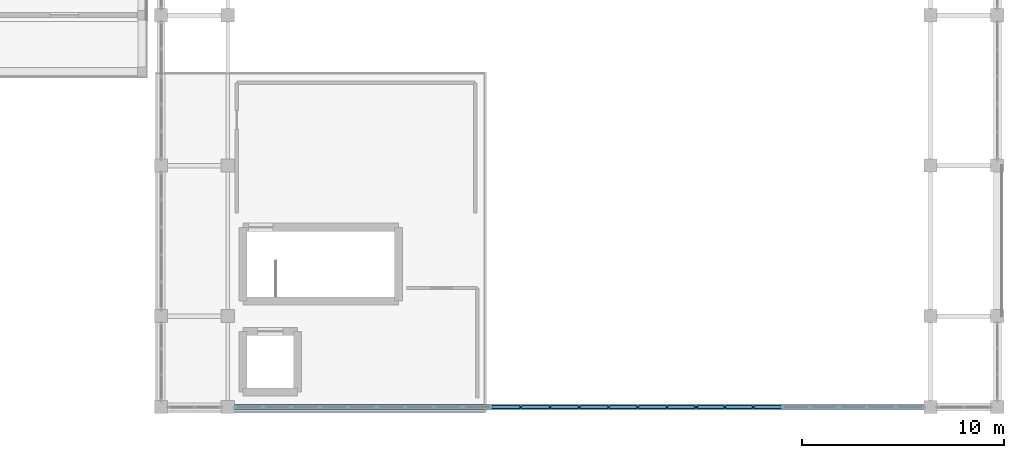
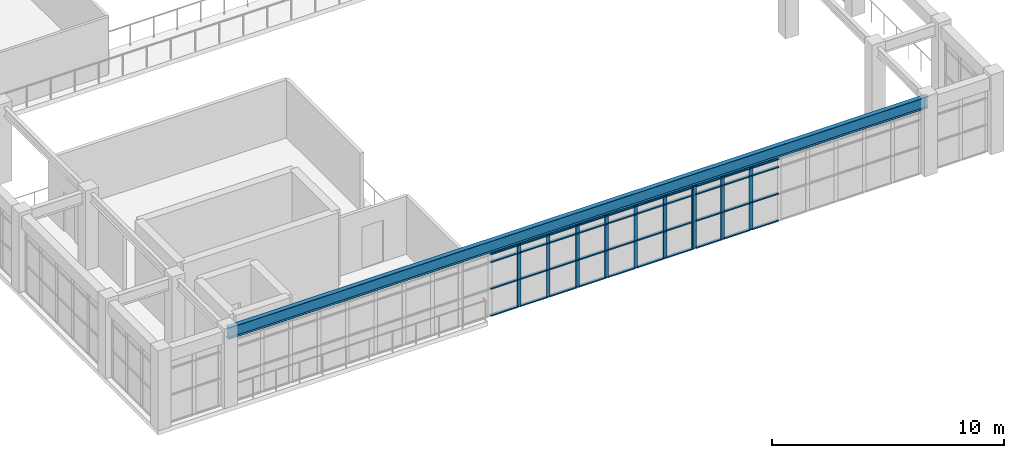
# One storey, part 19 of 66: 50 members, 1 beam, 2 elements without a shape of their own.
"""IFC4 building model written with IfcOpenShell, lengths in metres."""

from ifc_helpers import new_model, si_unit, direction, frame, origin, origin_2d, place, context, subcontext, project, spatial, rectangle, i_section, extrude, material, layer, layer_set, material_profile, profile_set, type_object, element, aggregate, save


model = new_model("IFC4")

# Units and contexts
model_context = context("Model", 3, precision=1e-05, world=origin(), true_north=direction((0.0, 1.0)))
body_context = subcontext(model_context, "Body", "Model", "MODEL_VIEW")
ifc_project = project(units=[si_unit("LENGTHUNIT", "METRE"), si_unit("AREAUNIT", "SQUARE_METRE"), si_unit("VOLUMEUNIT", "CUBIC_METRE"), si_unit("PLANEANGLEUNIT", "RADIAN"), si_unit("MASSUNIT", "GRAM", prefix="KILO")], contexts=[model_context])

# Site, building, storey
site_placement = place(None, origin())
site = spatial("IfcSite", under=ifc_project, at=site_placement, CompositionType="ELEMENT")
building_placement = place(site_placement, origin())
building = spatial("IfcBuilding", under=site, at=building_placement, Name="Candilejo Ridge Gondola Terminal", CompositionType="ELEMENT")
storey_placement = place(building_placement, frame((0.0, 0.0, 14.39990234375)))
storey = spatial("IfcBuildingStorey", under=building, at=storey_placement, Name="L03", CompositionType="ELEMENT", Elevation=14.39990234375)

# Curtain wall, members
ifc_material_1 = material(Name="Anodised aluminium AA 6063-T6", Category="aluminium")
ifc_layer_1 = layer(ifc_material_1, 0.169921875)
ifc_layer_set_1 = layer_set([ifc_layer_1], Name="ARC-CW-HALL-3800-1160X329")
curtain_wall_type_1 = type_object("IfcCurtainWallType", Name="ARC-CW-HALL-3800-1160X329", PredefinedType="NOTDEFINED", material=ifc_layer_set_1)
curtain_wall_1_placement = place(storey_placement, origin())
curtain_wall_1 = element("IfcCurtainWall", 1, at=curtain_wall_1_placement, inside=storey, type_object=curtain_wall_type_1, Name="Curtain wall V4 L03-167", PredefinedType="NOTDEFINED")
ifc_material_2 = material(Name="Anodised aluminium AA 6063-T6", Category="aluminium")
ifc_material_profile_1 = material_profile(ifc_material_2, rectangle(XDim=0.06494140625, YDim=0.179931640625, at=origin_2d()))
ifc_profile_set_1 = profile_set([ifc_material_profile_1], Name="Anodised aluminium AA 6063-T6")
member_type_1 = type_object("IfcMemberType", Name="ARC-CW-MULLION-180", PredefinedType="MULLION", material=ifc_profile_set_1)
member_1_placement = place(storey_placement, frame((151.699951171875, 6.300048828125, 0.0), z_axis=(0.0, 0.0, 1.0), x_axis=(0.0, 1.0, 0.0)))
member_1 = element("IfcMember", 2, at=member_1_placement, type_object=member_type_1, Name="CW-116X32 mullion 3", PredefinedType="MULLION", context=body_context, shape_type="SweptSolid", body=[
    extrude(rectangle(XDim=0.06494140625, YDim=0.179931640625, at=origin_2d()), origin(), (0.0, 0.0, 1.0), 3.2900390625),
])
member_2_placement = place(storey_placement, frame((153.14990234375, 6.300048828125, 0.0), z_axis=(0.0, 0.0, 1.0), x_axis=(0.0, 1.0, 0.0)))
member_2 = element("IfcMember", 3, at=member_2_placement, type_object=member_type_1, Name="CW-116X32 mullion 4", PredefinedType="MULLION", context=body_context, shape_type="SweptSolid", body=[
    extrude(rectangle(XDim=0.06494140625, YDim=0.179931640625, at=origin_2d()), origin(), (0.0, 0.0, 1.0), 3.2900390625),
])
member_3_placement = place(storey_placement, frame((154.60009765625, 6.300048828125, 0.0), z_axis=(0.0, 0.0, 1.0), x_axis=(0.0, 1.0, 0.0)))
member_3 = element("IfcMember", 4, at=member_3_placement, type_object=member_type_1, Name="CW-116X32 mullion 5", PredefinedType="MULLION", context=body_context, shape_type="SweptSolid", body=[
    extrude(rectangle(XDim=0.06494140625, YDim=0.179931640625, at=origin_2d()), origin(), (0.0, 0.0, 1.0), 3.2900390625),
])
member_4_placement = place(storey_placement, frame((156.050048828125, 6.300048828125, 0.0), z_axis=(0.0, 0.0, 1.0), x_axis=(0.0, 1.0, 0.0)))
member_4 = element("IfcMember", 5, at=member_4_placement, type_object=member_type_1, Name="CW-116X32 mullion 6", PredefinedType="MULLION", context=body_context, shape_type="SweptSolid", body=[
    extrude(rectangle(XDim=0.06494140625, YDim=0.179931640625, at=origin_2d()), origin(), (0.0, 0.0, 1.0), 3.2900390625),
])
member_5_placement = place(storey_placement, frame((157.5, 6.300048828125, 0.0), z_axis=(0.0, 0.0, 1.0), x_axis=(0.0, 1.0, 0.0)))
member_5 = element("IfcMember", 6, at=member_5_placement, type_object=member_type_1, Name="CW-116X32 mullion 7", PredefinedType="MULLION", context=body_context, shape_type="SweptSolid", body=[
    extrude(rectangle(XDim=0.06494140625, YDim=0.179931640625, at=origin_2d()), origin(), (0.0, 0.0, 1.0), 3.2900390625),
])
member_6_placement = place(storey_placement, frame((158.949951171875, 6.300048828125, 0.0), z_axis=(0.0, 0.0, 1.0), x_axis=(0.0, 1.0, 0.0)))
member_6 = element("IfcMember", 7, at=member_6_placement, type_object=member_type_1, Name="CW-116X32 mullion 8", PredefinedType="MULLION", context=body_context, shape_type="SweptSolid", body=[
    extrude(rectangle(XDim=0.06494140625, YDim=0.179931640625, at=origin_2d()), origin(), (0.0, 0.0, 1.0), 3.2900390625),
])
member_7_placement = place(storey_placement, frame((160.367431640625, 6.300048828125, 0.0), z_axis=(0.0, 0.0, 1.0), x_axis=(0.0, 1.0, 0.0)))
member_7 = element("IfcMember", 8, at=member_7_placement, type_object=member_type_1, Name="CW-116X32 mullion 9", PredefinedType="MULLION", context=body_context, shape_type="SweptSolid", body=[
    extrude(rectangle(XDim=0.06494140625, YDim=0.179931640625, at=origin_2d()), origin(), (0.0, 0.0, 1.0), 3.2900390625),
])

ifc_material_3 = material(Name="Anodised aluminium AA 6063-T6", Category="aluminium")
ifc_layer_2 = layer(ifc_material_3, 0.169921875)
ifc_layer_set_2 = layer_set([ifc_layer_2], Name="ARC-CW-HALL-3800-1128X329")
curtain_wall_type_2 = type_object("IfcCurtainWallType", Name="ARC-CW-HALL-3800-1128X329", PredefinedType="NOTDEFINED", material=ifc_layer_set_2)
curtain_wall_2_placement = place(storey_placement, origin())
curtain_wall_2 = element("IfcCurtainWall", 9, at=curtain_wall_2_placement, inside=storey, type_object=curtain_wall_type_2, Name="Curtain wall V4 L03-168", PredefinedType="NOTDEFINED")
member_8_placement = place(storey_placement, frame((160.4326171875, 6.300048828125, 0.0), z_axis=(0.0, 0.0, 1.0), x_axis=(0.0, 1.0, 0.0)))
member_8 = element("IfcMember", 10, at=member_8_placement, type_object=member_type_1, Name="CW-112X32 mullion 1", PredefinedType="MULLION", context=body_context, shape_type="SweptSolid", body=[
    extrude(rectangle(XDim=0.06494140625, YDim=0.179931640625, at=origin_2d()), origin(), (0.0, 0.0, 1.0), 3.2900390625),
])
member_9_placement = place(storey_placement, frame((161.809326171875, 6.300048828125, 0.0), z_axis=(0.0, 0.0, 1.0), x_axis=(0.0, 1.0, 0.0)))
member_9 = element("IfcMember", 11, at=member_9_placement, type_object=member_type_1, Name="CW-112X32 mullion 2", PredefinedType="MULLION", context=body_context, shape_type="SweptSolid", body=[
    extrude(rectangle(XDim=0.06494140625, YDim=0.179931640625, at=origin_2d()), origin(), (0.0, 0.0, 1.0), 3.2900390625),
])
member_10_placement = place(storey_placement, frame((163.21875, 6.300048828125, 0.0), z_axis=(0.0, 0.0, 1.0), x_axis=(0.0, 1.0, 0.0)))
member_10 = element("IfcMember", 12, at=member_10_placement, type_object=member_type_1, Name="CW-112X32 mullion 3", PredefinedType="MULLION", context=body_context, shape_type="SweptSolid", body=[
    extrude(rectangle(XDim=0.06494140625, YDim=0.179931640625, at=origin_2d()), origin(), (0.0, 0.0, 1.0), 3.2900390625),
])

# Member
ifc_material_4 = material(Name="Anodised aluminium AA 6063-T6", Category="aluminium")
ifc_material_profile_2 = material_profile(ifc_material_4, rectangle(XDim=0.1298828125, YDim=0.06005859375, at=origin_2d()))
ifc_profile_set_2 = profile_set([ifc_material_profile_2], Name="Anodised aluminium AA 6063-T6")
member_type_2 = type_object("IfcMemberType", Name="ARC-CW-TRANSOM-130", PredefinedType="USERDEFINED", material=ifc_profile_set_2)
member_11_placement = place(storey_placement, frame((150.282470703125, 6.300048828125, 0.030029296875), z_axis=(1.0, 0.0, 0.0), x_axis=(0.0, 1.0, 0.0)))
member_11 = element("IfcMember", 13, at=member_11_placement, type_object=member_type_2, Name="CW-116X32 transom 2.1", ObjectType="TRANSOM", PredefinedType="USERDEFINED", context=body_context, shape_type="SweptSolid", body=[
    extrude(rectangle(XDim=0.1298828125, YDim=0.06005859375, at=origin_2d()), origin(), (0.0, 0.0, 1.0), 1.385009765625),
])

member_12_placement = place(storey_placement, frame((150.282470703125, 6.300048828125, 1.4501953125), z_axis=(1.0, 0.0, 0.0), x_axis=(0.0, 1.0, 0.0)))
member_12 = element("IfcMember", 14, at=member_12_placement, type_object=member_type_2, Name="CW-116X32 transom 2.2", ObjectType="TRANSOM", PredefinedType="USERDEFINED", context=body_context, shape_type="SweptSolid", body=[
    extrude(rectangle(XDim=0.1298828125, YDim=0.06005859375, at=origin_2d()), origin(), (0.0, 0.0, 1.0), 1.385009765625),
])

member_13_placement = place(storey_placement, frame((150.282470703125, 6.300048828125, 2.85009765625), z_axis=(1.0, 0.0, 0.0), x_axis=(0.0, 1.0, 0.0)))
member_13 = element("IfcMember", 15, at=member_13_placement, type_object=member_type_2, Name="CW-116X32 transom 2.3", ObjectType="TRANSOM", PredefinedType="USERDEFINED", context=body_context, shape_type="SweptSolid", body=[
    extrude(rectangle(XDim=0.1298828125, YDim=0.06005859375, at=origin_2d()), origin(), (0.0, 0.0, 1.0), 1.385009765625),
])

member_14_placement = place(storey_placement, frame((150.282470703125, 6.300048828125, 3.260009765625), z_axis=(1.0, 0.0, 0.0), x_axis=(0.0, 1.0, 0.0)))
member_14 = element("IfcMember", 16, at=member_14_placement, type_object=member_type_2, Name="CW-116X32 transom 2.4", ObjectType="TRANSOM", PredefinedType="USERDEFINED", context=body_context, shape_type="SweptSolid", body=[
    extrude(rectangle(XDim=0.1298828125, YDim=0.06005859375, at=origin_2d()), origin(), (0.0, 0.0, 1.0), 1.385009765625),
])

member_15_placement = place(storey_placement, frame((151.732421875, 6.300048828125, 0.030029296875), z_axis=(1.0, 0.0, 0.0), x_axis=(0.0, 1.0, 0.0)))
member_15 = element("IfcMember", 17, at=member_15_placement, type_object=member_type_2, Name="CW-116X32 transom 3.1", ObjectType="TRANSOM", PredefinedType="USERDEFINED", context=body_context, shape_type="SweptSolid", body=[
    extrude(rectangle(XDim=0.1298828125, YDim=0.06005859375, at=origin_2d()), origin(), (0.0, 0.0, 1.0), 1.385009765625),
])

member_16_placement = place(storey_placement, frame((151.732421875, 6.300048828125, 1.4501953125), z_axis=(1.0, 0.0, 0.0), x_axis=(0.0, 1.0, 0.0)))
member_16 = element("IfcMember", 18, at=member_16_placement, type_object=member_type_2, Name="CW-116X32 transom 3.2", ObjectType="TRANSOM", PredefinedType="USERDEFINED", context=body_context, shape_type="SweptSolid", body=[
    extrude(rectangle(XDim=0.1298828125, YDim=0.06005859375, at=origin_2d()), origin(), (0.0, 0.0, 1.0), 1.385009765625),
])

member_17_placement = place(storey_placement, frame((151.732421875, 6.300048828125, 2.85009765625), z_axis=(1.0, 0.0, 0.0), x_axis=(0.0, 1.0, 0.0)))
member_17 = element("IfcMember", 19, at=member_17_placement, type_object=member_type_2, Name="CW-116X32 transom 3.3", ObjectType="TRANSOM", PredefinedType="USERDEFINED", context=body_context, shape_type="SweptSolid", body=[
    extrude(rectangle(XDim=0.1298828125, YDim=0.06005859375, at=origin_2d()), origin(), (0.0, 0.0, 1.0), 1.385009765625),
])

member_18_placement = place(storey_placement, frame((151.732421875, 6.300048828125, 3.260009765625), z_axis=(1.0, 0.0, 0.0), x_axis=(0.0, 1.0, 0.0)))
member_18 = element("IfcMember", 20, at=member_18_placement, type_object=member_type_2, Name="CW-116X32 transom 3.4", ObjectType="TRANSOM", PredefinedType="USERDEFINED", context=body_context, shape_type="SweptSolid", body=[
    extrude(rectangle(XDim=0.1298828125, YDim=0.06005859375, at=origin_2d()), origin(), (0.0, 0.0, 1.0), 1.385009765625),
])

member_19_placement = place(storey_placement, frame((153.1826171875, 6.300048828125, 0.030029296875), z_axis=(1.0, 0.0, 0.0), x_axis=(0.0, 1.0, 0.0)))
member_19 = element("IfcMember", 21, at=member_19_placement, type_object=member_type_2, Name="CW-116X32 transom 4.1", ObjectType="TRANSOM", PredefinedType="USERDEFINED", context=body_context, shape_type="SweptSolid", body=[
    extrude(rectangle(XDim=0.1298828125, YDim=0.06005859375, at=origin_2d()), origin(), (0.0, 0.0, 1.0), 1.384765625),
])

member_20_placement = place(storey_placement, frame((153.1826171875, 6.300048828125, 1.4501953125), z_axis=(1.0, 0.0, 0.0), x_axis=(0.0, 1.0, 0.0)))
member_20 = element("IfcMember", 22, at=member_20_placement, type_object=member_type_2, Name="CW-116X32 transom 4.2", ObjectType="TRANSOM", PredefinedType="USERDEFINED", context=body_context, shape_type="SweptSolid", body=[
    extrude(rectangle(XDim=0.1298828125, YDim=0.06005859375, at=origin_2d()), origin(), (0.0, 0.0, 1.0), 1.384765625),
])

member_21_placement = place(storey_placement, frame((153.1826171875, 6.300048828125, 2.85009765625), z_axis=(1.0, 0.0, 0.0), x_axis=(0.0, 1.0, 0.0)))
member_21 = element("IfcMember", 23, at=member_21_placement, type_object=member_type_2, Name="CW-116X32 transom 4.3", ObjectType="TRANSOM", PredefinedType="USERDEFINED", context=body_context, shape_type="SweptSolid", body=[
    extrude(rectangle(XDim=0.1298828125, YDim=0.06005859375, at=origin_2d()), origin(), (0.0, 0.0, 1.0), 1.384765625),
])

member_22_placement = place(storey_placement, frame((153.1826171875, 6.300048828125, 3.260009765625), z_axis=(1.0, 0.0, 0.0), x_axis=(0.0, 1.0, 0.0)))
member_22 = element("IfcMember", 24, at=member_22_placement, type_object=member_type_2, Name="CW-116X32 transom 4.4", ObjectType="TRANSOM", PredefinedType="USERDEFINED", context=body_context, shape_type="SweptSolid", body=[
    extrude(rectangle(XDim=0.1298828125, YDim=0.06005859375, at=origin_2d()), origin(), (0.0, 0.0, 1.0), 1.384765625),
])

member_23_placement = place(storey_placement, frame((154.632568359375, 6.300048828125, 0.030029296875), z_axis=(1.0, 0.0, 0.0), x_axis=(0.0, 1.0, 0.0)))
member_23 = element("IfcMember", 25, at=member_23_placement, type_object=member_type_2, Name="CW-116X32 transom 5.1", ObjectType="TRANSOM", PredefinedType="USERDEFINED", context=body_context, shape_type="SweptSolid", body=[
    extrude(rectangle(XDim=0.1298828125, YDim=0.06005859375, at=origin_2d()), origin(), (0.0, 0.0, 1.0), 1.385009765625),
])

member_24_placement = place(storey_placement, frame((154.632568359375, 6.300048828125, 1.4501953125), z_axis=(1.0, 0.0, 0.0), x_axis=(0.0, 1.0, 0.0)))
member_24 = element("IfcMember", 26, at=member_24_placement, type_object=member_type_2, Name="CW-116X32 transom 5.2", ObjectType="TRANSOM", PredefinedType="USERDEFINED", context=body_context, shape_type="SweptSolid", body=[
    extrude(rectangle(XDim=0.1298828125, YDim=0.06005859375, at=origin_2d()), origin(), (0.0, 0.0, 1.0), 1.385009765625),
])

member_25_placement = place(storey_placement, frame((154.632568359375, 6.300048828125, 2.85009765625), z_axis=(1.0, 0.0, 0.0), x_axis=(0.0, 1.0, 0.0)))
member_25 = element("IfcMember", 27, at=member_25_placement, type_object=member_type_2, Name="CW-116X32 transom 5.3", ObjectType="TRANSOM", PredefinedType="USERDEFINED", context=body_context, shape_type="SweptSolid", body=[
    extrude(rectangle(XDim=0.1298828125, YDim=0.06005859375, at=origin_2d()), origin(), (0.0, 0.0, 1.0), 1.385009765625),
])

member_26_placement = place(storey_placement, frame((154.632568359375, 6.300048828125, 3.260009765625), z_axis=(1.0, 0.0, 0.0), x_axis=(0.0, 1.0, 0.0)))
member_26 = element("IfcMember", 28, at=member_26_placement, type_object=member_type_2, Name="CW-116X32 transom 5.4", ObjectType="TRANSOM", PredefinedType="USERDEFINED", context=body_context, shape_type="SweptSolid", body=[
    extrude(rectangle(XDim=0.1298828125, YDim=0.06005859375, at=origin_2d()), origin(), (0.0, 0.0, 1.0), 1.385009765625),
])

member_27_placement = place(storey_placement, frame((156.08251953125, 6.300048828125, 0.030029296875), z_axis=(1.0, 0.0, 0.0), x_axis=(0.0, 1.0, 0.0)))
member_27 = element("IfcMember", 29, at=member_27_placement, type_object=member_type_2, Name="CW-116X32 transom 6.1", ObjectType="TRANSOM", PredefinedType="USERDEFINED", context=body_context, shape_type="SweptSolid", body=[
    extrude(rectangle(XDim=0.1298828125, YDim=0.06005859375, at=origin_2d()), origin(), (0.0, 0.0, 1.0), 1.385009765625),
])

member_28_placement = place(storey_placement, frame((156.08251953125, 6.300048828125, 1.4501953125), z_axis=(1.0, 0.0, 0.0), x_axis=(0.0, 1.0, 0.0)))
member_28 = element("IfcMember", 30, at=member_28_placement, type_object=member_type_2, Name="CW-116X32 transom 6.2", ObjectType="TRANSOM", PredefinedType="USERDEFINED", context=body_context, shape_type="SweptSolid", body=[
    extrude(rectangle(XDim=0.1298828125, YDim=0.06005859375, at=origin_2d()), origin(), (0.0, 0.0, 1.0), 1.385009765625),
])

member_29_placement = place(storey_placement, frame((156.08251953125, 6.300048828125, 2.85009765625), z_axis=(1.0, 0.0, 0.0), x_axis=(0.0, 1.0, 0.0)))
member_29 = element("IfcMember", 31, at=member_29_placement, type_object=member_type_2, Name="CW-116X32 transom 6.3", ObjectType="TRANSOM", PredefinedType="USERDEFINED", context=body_context, shape_type="SweptSolid", body=[
    extrude(rectangle(XDim=0.1298828125, YDim=0.06005859375, at=origin_2d()), origin(), (0.0, 0.0, 1.0), 1.385009765625),
])

member_30_placement = place(storey_placement, frame((156.08251953125, 6.300048828125, 3.260009765625), z_axis=(1.0, 0.0, 0.0), x_axis=(0.0, 1.0, 0.0)))
member_30 = element("IfcMember", 32, at=member_30_placement, type_object=member_type_2, Name="CW-116X32 transom 6.4", ObjectType="TRANSOM", PredefinedType="USERDEFINED", context=body_context, shape_type="SweptSolid", body=[
    extrude(rectangle(XDim=0.1298828125, YDim=0.06005859375, at=origin_2d()), origin(), (0.0, 0.0, 1.0), 1.385009765625),
])

member_31_placement = place(storey_placement, frame((157.532470703125, 6.300048828125, 0.030029296875), z_axis=(1.0, 0.0, 0.0), x_axis=(0.0, 1.0, 0.0)))
member_31 = element("IfcMember", 33, at=member_31_placement, type_object=member_type_2, Name="CW-116X32 transom 7.1", ObjectType="TRANSOM", PredefinedType="USERDEFINED", context=body_context, shape_type="SweptSolid", body=[
    extrude(rectangle(XDim=0.1298828125, YDim=0.06005859375, at=origin_2d()), origin(), (0.0, 0.0, 1.0), 1.385009765625),
])

member_32_placement = place(storey_placement, frame((157.532470703125, 6.300048828125, 1.4501953125), z_axis=(1.0, 0.0, 0.0), x_axis=(0.0, 1.0, 0.0)))
member_32 = element("IfcMember", 34, at=member_32_placement, type_object=member_type_2, Name="CW-116X32 transom 7.2", ObjectType="TRANSOM", PredefinedType="USERDEFINED", context=body_context, shape_type="SweptSolid", body=[
    extrude(rectangle(XDim=0.1298828125, YDim=0.06005859375, at=origin_2d()), origin(), (0.0, 0.0, 1.0), 1.385009765625),
])

member_33_placement = place(storey_placement, frame((157.532470703125, 6.300048828125, 2.85009765625), z_axis=(1.0, 0.0, 0.0), x_axis=(0.0, 1.0, 0.0)))
member_33 = element("IfcMember", 35, at=member_33_placement, type_object=member_type_2, Name="CW-116X32 transom 7.3", ObjectType="TRANSOM", PredefinedType="USERDEFINED", context=body_context, shape_type="SweptSolid", body=[
    extrude(rectangle(XDim=0.1298828125, YDim=0.06005859375, at=origin_2d()), origin(), (0.0, 0.0, 1.0), 1.385009765625),
])

member_34_placement = place(storey_placement, frame((157.532470703125, 6.300048828125, 3.260009765625), z_axis=(1.0, 0.0, 0.0), x_axis=(0.0, 1.0, 0.0)))
member_34 = element("IfcMember", 36, at=member_34_placement, type_object=member_type_2, Name="CW-116X32 transom 7.4", ObjectType="TRANSOM", PredefinedType="USERDEFINED", context=body_context, shape_type="SweptSolid", body=[
    extrude(rectangle(XDim=0.1298828125, YDim=0.06005859375, at=origin_2d()), origin(), (0.0, 0.0, 1.0), 1.385009765625),
])

member_35_placement = place(storey_placement, frame((158.982421875, 6.300048828125, 0.030029296875), z_axis=(1.0, 0.0, 0.0), x_axis=(0.0, 1.0, 0.0)))
member_35 = element("IfcMember", 37, at=member_35_placement, type_object=member_type_2, Name="CW-116X32 transom 8.1", ObjectType="TRANSOM", PredefinedType="USERDEFINED", context=body_context, shape_type="SweptSolid", body=[
    extrude(rectangle(XDim=0.1298828125, YDim=0.06005859375, at=origin_2d()), origin(), (0.0, 0.0, 1.0), 1.3525390625),
])

member_36_placement = place(storey_placement, frame((158.982421875, 6.300048828125, 1.4501953125), z_axis=(1.0, 0.0, 0.0), x_axis=(0.0, 1.0, 0.0)))
member_36 = element("IfcMember", 38, at=member_36_placement, type_object=member_type_2, Name="CW-116X32 transom 8.2", ObjectType="TRANSOM", PredefinedType="USERDEFINED", context=body_context, shape_type="SweptSolid", body=[
    extrude(rectangle(XDim=0.1298828125, YDim=0.06005859375, at=origin_2d()), origin(), (0.0, 0.0, 1.0), 1.3525390625),
])

member_37_placement = place(storey_placement, frame((158.982421875, 6.300048828125, 2.85009765625), z_axis=(1.0, 0.0, 0.0), x_axis=(0.0, 1.0, 0.0)))
member_37 = element("IfcMember", 39, at=member_37_placement, type_object=member_type_2, Name="CW-116X32 transom 8.3", ObjectType="TRANSOM", PredefinedType="USERDEFINED", context=body_context, shape_type="SweptSolid", body=[
    extrude(rectangle(XDim=0.1298828125, YDim=0.06005859375, at=origin_2d()), origin(), (0.0, 0.0, 1.0), 1.3525390625),
])

member_38_placement = place(storey_placement, frame((158.982421875, 6.300048828125, 3.260009765625), z_axis=(1.0, 0.0, 0.0), x_axis=(0.0, 1.0, 0.0)))
member_38 = element("IfcMember", 40, at=member_38_placement, type_object=member_type_2, Name="CW-116X32 transom 8.4", ObjectType="TRANSOM", PredefinedType="USERDEFINED", context=body_context, shape_type="SweptSolid", body=[
    extrude(rectangle(XDim=0.1298828125, YDim=0.06005859375, at=origin_2d()), origin(), (0.0, 0.0, 1.0), 1.3525390625),
])

aggregate(curtain_wall_1, [member_1, member_2, member_3, member_4, member_5, member_6, member_7, member_11, member_12, member_13, member_14, member_15, member_16, member_17, member_18, member_19, member_20, member_21, member_22, member_23, member_24, member_25, member_26, member_27, member_28, member_29, member_30, member_31, member_32, member_33, member_34, member_35, member_36, member_37, member_38])

member_39_placement = place(storey_placement, frame((160.465087890625, 6.300048828125, 0.030029296875), z_axis=(1.0, 0.0, 0.0), x_axis=(0.0, 1.0, 0.0)))
member_39 = element("IfcMember", 41, at=member_39_placement, type_object=member_type_2, Name="CW-112X32 transom 1.1", ObjectType="TRANSOM", PredefinedType="USERDEFINED", context=body_context, shape_type="SweptSolid", body=[
    extrude(rectangle(XDim=0.1298828125, YDim=0.06005859375, at=origin_2d()), origin(), (0.0, 0.0, 1.0), 1.311767578125),
])

member_40_placement = place(storey_placement, frame((160.465087890625, 6.300048828125, 1.4501953125), z_axis=(1.0, 0.0, 0.0), x_axis=(0.0, 1.0, 0.0)))
member_40 = element("IfcMember", 42, at=member_40_placement, type_object=member_type_2, Name="CW-112X32 transom 1.2", ObjectType="TRANSOM", PredefinedType="USERDEFINED", context=body_context, shape_type="SweptSolid", body=[
    extrude(rectangle(XDim=0.1298828125, YDim=0.06005859375, at=origin_2d()), origin(), (0.0, 0.0, 1.0), 1.311767578125),
])

member_41_placement = place(storey_placement, frame((160.465087890625, 6.300048828125, 2.85009765625), z_axis=(1.0, 0.0, 0.0), x_axis=(0.0, 1.0, 0.0)))
member_41 = element("IfcMember", 43, at=member_41_placement, type_object=member_type_2, Name="CW-112X32 transom 1.3", ObjectType="TRANSOM", PredefinedType="USERDEFINED", context=body_context, shape_type="SweptSolid", body=[
    extrude(rectangle(XDim=0.1298828125, YDim=0.06005859375, at=origin_2d()), origin(), (0.0, 0.0, 1.0), 1.311767578125),
])

member_42_placement = place(storey_placement, frame((160.465087890625, 6.300048828125, 3.260009765625), z_axis=(1.0, 0.0, 0.0), x_axis=(0.0, 1.0, 0.0)))
member_42 = element("IfcMember", 44, at=member_42_placement, type_object=member_type_2, Name="CW-112X32 transom 1.4", ObjectType="TRANSOM", PredefinedType="USERDEFINED", context=body_context, shape_type="SweptSolid", body=[
    extrude(rectangle(XDim=0.1298828125, YDim=0.06005859375, at=origin_2d()), origin(), (0.0, 0.0, 1.0), 1.311767578125),
])

member_43_placement = place(storey_placement, frame((161.841796875, 6.300048828125, 0.030029296875), z_axis=(1.0, 0.0, 0.0), x_axis=(0.0, 1.0, 0.0)))
member_43 = element("IfcMember", 45, at=member_43_placement, type_object=member_type_2, Name="CW-112X32 transom 2.1", ObjectType="TRANSOM", PredefinedType="USERDEFINED", context=body_context, shape_type="SweptSolid", body=[
    extrude(rectangle(XDim=0.1298828125, YDim=0.06005859375, at=origin_2d()), origin(), (0.0, 0.0, 1.0), 1.344482421875),
])

member_44_placement = place(storey_placement, frame((161.841796875, 6.300048828125, 1.4501953125), z_axis=(1.0, 0.0, 0.0), x_axis=(0.0, 1.0, 0.0)))
member_44 = element("IfcMember", 46, at=member_44_placement, type_object=member_type_2, Name="CW-112X32 transom 2.2", ObjectType="TRANSOM", PredefinedType="USERDEFINED", context=body_context, shape_type="SweptSolid", body=[
    extrude(rectangle(XDim=0.1298828125, YDim=0.06005859375, at=origin_2d()), origin(), (0.0, 0.0, 1.0), 1.344482421875),
])

member_45_placement = place(storey_placement, frame((161.841796875, 6.300048828125, 2.85009765625), z_axis=(1.0, 0.0, 0.0), x_axis=(0.0, 1.0, 0.0)))
member_45 = element("IfcMember", 47, at=member_45_placement, type_object=member_type_2, Name="CW-112X32 transom 2.3", ObjectType="TRANSOM", PredefinedType="USERDEFINED", context=body_context, shape_type="SweptSolid", body=[
    extrude(rectangle(XDim=0.1298828125, YDim=0.06005859375, at=origin_2d()), origin(), (0.0, 0.0, 1.0), 1.344482421875),
])

member_46_placement = place(storey_placement, frame((161.841796875, 6.300048828125, 3.260009765625), z_axis=(1.0, 0.0, 0.0), x_axis=(0.0, 1.0, 0.0)))
member_46 = element("IfcMember", 48, at=member_46_placement, type_object=member_type_2, Name="CW-112X32 transom 2.4", ObjectType="TRANSOM", PredefinedType="USERDEFINED", context=body_context, shape_type="SweptSolid", body=[
    extrude(rectangle(XDim=0.1298828125, YDim=0.06005859375, at=origin_2d()), origin(), (0.0, 0.0, 1.0), 1.344482421875),
])

member_47_placement = place(storey_placement, frame((163.251220703125, 6.300048828125, 0.030029296875), z_axis=(1.0, 0.0, 0.0), x_axis=(0.0, 1.0, 0.0)))
member_47 = element("IfcMember", 49, at=member_47_placement, type_object=member_type_2, Name="CW-112X32 transom 3.1", ObjectType="TRANSOM", PredefinedType="USERDEFINED", context=body_context, shape_type="SweptSolid", body=[
    extrude(rectangle(XDim=0.1298828125, YDim=0.06005859375, at=origin_2d()), origin(), (0.0, 0.0, 1.0), 1.344482421875),
])

member_48_placement = place(storey_placement, frame((163.251220703125, 6.300048828125, 1.4501953125), z_axis=(1.0, 0.0, 0.0), x_axis=(0.0, 1.0, 0.0)))
member_48 = element("IfcMember", 50, at=member_48_placement, type_object=member_type_2, Name="CW-112X32 transom 3.2", ObjectType="TRANSOM", PredefinedType="USERDEFINED", context=body_context, shape_type="SweptSolid", body=[
    extrude(rectangle(XDim=0.1298828125, YDim=0.06005859375, at=origin_2d()), origin(), (0.0, 0.0, 1.0), 1.344482421875),
])

member_49_placement = place(storey_placement, frame((163.251220703125, 6.300048828125, 2.85009765625), z_axis=(1.0, 0.0, 0.0), x_axis=(0.0, 1.0, 0.0)))
member_49 = element("IfcMember", 51, at=member_49_placement, type_object=member_type_2, Name="CW-112X32 transom 3.3", ObjectType="TRANSOM", PredefinedType="USERDEFINED", context=body_context, shape_type="SweptSolid", body=[
    extrude(rectangle(XDim=0.1298828125, YDim=0.06005859375, at=origin_2d()), origin(), (0.0, 0.0, 1.0), 1.344482421875),
])

member_50_placement = place(storey_placement, frame((163.251220703125, 6.300048828125, 3.260009765625), z_axis=(1.0, 0.0, 0.0), x_axis=(0.0, 1.0, 0.0)))
member_50 = element("IfcMember", 52, at=member_50_placement, type_object=member_type_2, Name="CW-112X32 transom 3.4", ObjectType="TRANSOM", PredefinedType="USERDEFINED", context=body_context, shape_type="SweptSolid", body=[
    extrude(rectangle(XDim=0.1298828125, YDim=0.06005859375, at=origin_2d()), origin(), (0.0, 0.0, 1.0), 1.344482421875),
])

aggregate(curtain_wall_2, [member_8, member_9, member_10, member_39, member_40, member_41, member_42, member_43, member_44, member_45, member_46, member_47, member_48, member_49, member_50])

# Beam
ifc_material_5 = material(Name="Steel ASTM A992 Grade 50", Category="steel")
ifc_material_profile_3 = material_profile(ifc_material_5, i_section(OverallWidth=0.22802734375, OverallDepth=0.60302734375, WebThickness=0.010498046875, FlangeThickness=0.014892578125, at=origin_2d()))
ifc_profile_set_3 = profile_set([ifc_material_profile_3], Name="Steel ASTM A992 Grade 50")
beam_type = type_object("IfcBeamType", Name="STR-BM-W610X101", PredefinedType="BEAM", material=ifc_profile_set_3)
beam_placement = place(storey_placement, frame((137.199951171875, 6.300048828125, 3.698486328125), z_axis=(1.0, 0.0, 0.0), x_axis=(0.0, 1.0, 0.0)))
element("IfcBeam", 53, at=beam_placement, inside=storey, type_object=beam_type, Name="Beam X V4 L03 X22-X26@Y01", PredefinedType="BEAM", context=body_context, shape_type="SweptSolid", body=[
    extrude(i_section(OverallWidth=0.22802734375, OverallDepth=0.60302734375, WebThickness=0.010498046875, FlangeThickness=0.014892578125, at=origin_2d()), origin(), (0.0, 0.0, 1.0), 34.800048828125),
])

save(model, "model.ifc")
